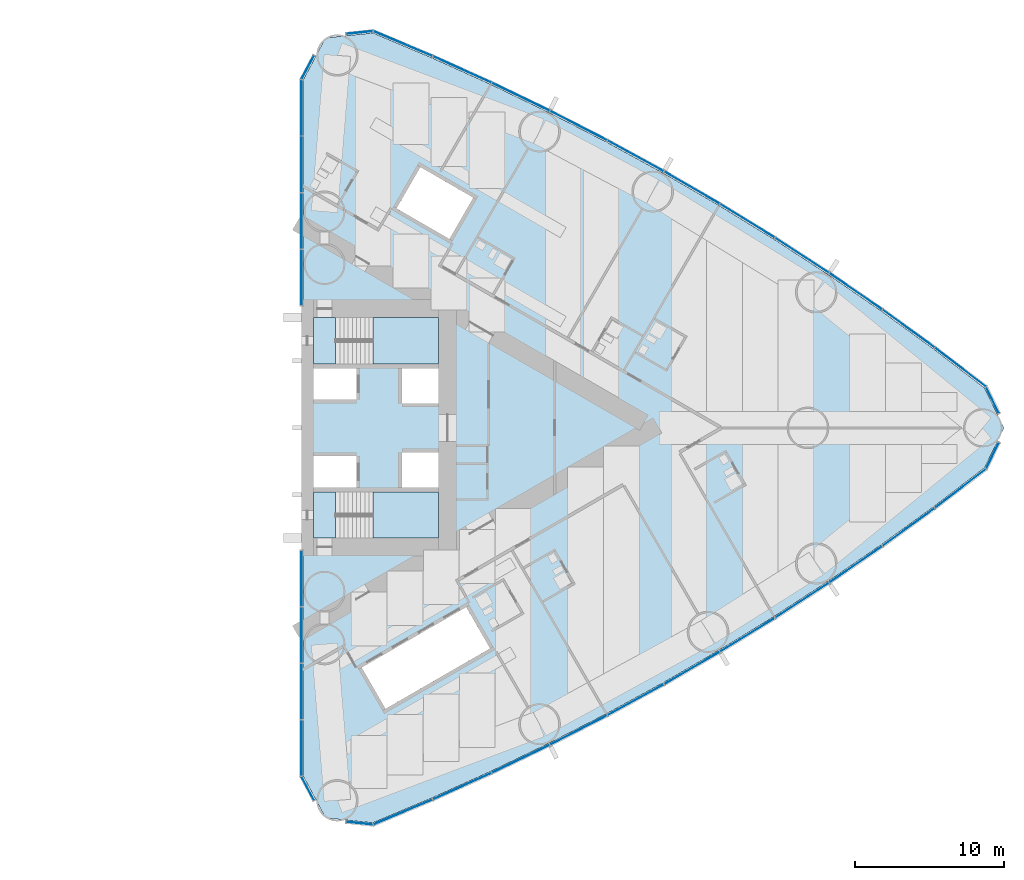
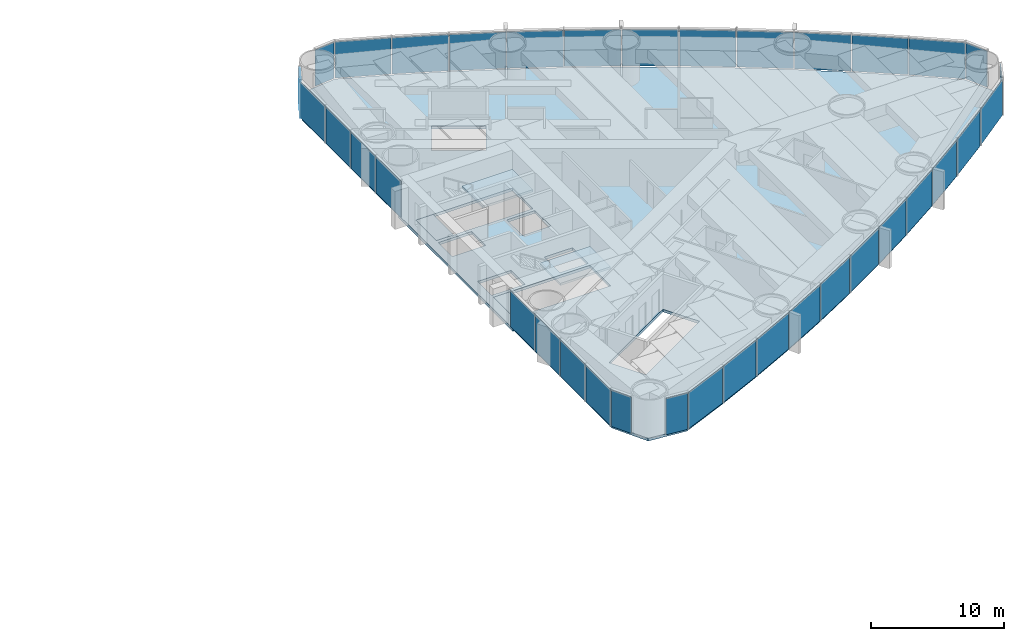
# One storey, part 10 of 18: 36 plates, 5 slabs, 6 elements without a shape of their own.
"""IFC4 building model written with IfcOpenShell, lengths in metres."""

from ifc_helpers import new_model, si_unit, direction, frame, origin, origin_2d, place, context, subcontext, project, spatial, polyline, rectangle, outline, extrude, material, layer, layer_set, type_object, element, aggregate, save


model = new_model("IFC4")

# Units and contexts
model_context = context("Model", 3, precision=1e-05, world=origin(), true_north=direction((0.0, 1.0)))
body_context = subcontext(model_context, "Body", "Model", "MODEL_VIEW")
ifc_project = project(units=[si_unit("LENGTHUNIT", "METRE"), si_unit("AREAUNIT", "SQUARE_METRE"), si_unit("VOLUMEUNIT", "CUBIC_METRE"), si_unit("PLANEANGLEUNIT", "RADIAN"), si_unit("MASSUNIT", "GRAM", prefix="KILO")], contexts=[model_context])

# Site, building, storey
site_placement = place(None, origin())
site = spatial("IfcSite", under=ifc_project, at=site_placement, CompositionType="ELEMENT")
building_placement = place(site_placement, origin())
building = spatial("IfcBuilding", under=site, at=building_placement, Name="Lancet Gate Hotel", CompositionType="ELEMENT")
storey_placement = place(building_placement, frame((0.0, 0.0, 56.5)))
storey = spatial("IfcBuildingStorey", under=building, at=storey_placement, Name="L14", CompositionType="ELEMENT", Elevation=56.5)

# Slab
ifc_material_1 = material(Name="Concrete C50/60", Category="concrete")
ifc_layer_1 = layer(ifc_material_1, 0.25)
ifc_layer_set_1 = layer_set([ifc_layer_1], Name="Floor slab 250")
slab_type_1 = type_object("IfcSlabType", Name="Floor slab 250", PredefinedType="FLOOR", material=ifc_layer_set_1)
slab_1_placement = place(storey_placement, frame((0.0, 0.0, -0.25)))
element("IfcSlab", 1, at=slab_1_placement, inside=storey, type_object=slab_type_1, Name="T2 L14 floor slab", PredefinedType="FLOOR", context=body_context, shape_type="SweptSolid", body=[
    extrude(outline(polyline([(27.5, -8.60009765625), (27.6201171875, -8.60009765625), (27.6201171875, -23.35498046875), (29.12158203125, -26.175537109375), (32.299072265625, -26.5048828125), (36.26708984375, -24.833740234375), (40.2177734375, -23.050048828125), (44.121826171875, -21.16650390625), (47.9765625, -19.18408203125), (51.77978515625, -17.104248046875), (55.528564453125, -14.92822265625), (59.220947265625, -12.657470703125), (62.854248046875, -10.29345703125), (66.42626953125, -7.837890625), (69.934814453125, -5.292236328125), (73.355712890625, -2.67431640625), (74.65576171875, 0.0), (73.355712890625, 2.67431640625), (69.934814453125, 5.292236328125), (66.42626953125, 7.837890625), (62.854248046875, 10.29345703125), (59.220947265625, 12.657470703125), (55.528564453125, 14.92822265625), (51.77978515625, 17.104248046875), (47.9765625, 19.18408203125), (44.121826171875, 21.16650390625), (40.2177734375, 23.050048828125), (36.26708984375, 24.833740234375), (32.299072265625, 26.5048828125), (29.12158203125, 26.175537109375), (27.6201171875, 23.35498046875), (27.6201171875, 8.60009765625), (27.5, 8.60009765625), (27.5, 8.199951171875), (27.5, -8.199951171875), (27.5, -8.60009765625)]), holes=[polyline([(36.699951171875, -7.39990234375), (36.699951171875, -4.300048828125), (28.300048828125, -4.300048828125), (28.300048828125, -7.39990234375), (36.699951171875, -7.39990234375)]), polyline([(28.300048828125, -4.0), (31.199951171875, -4.0), (31.199951171875, -1.89990234375), (28.300048828125, -1.89990234375), (28.300048828125, -4.0)]), polyline([(34.25, -4.0), (36.699951171875, -4.0), (36.699951171875, -1.64990234375), (34.25, -1.64990234375), (34.25, -4.0)]), polyline([(36.699951171875, 1.64990234375), (36.699951171875, 4.0), (34.25, 4.0), (34.25, 1.64990234375), (36.699951171875, 1.64990234375)]), polyline([(28.300048828125, 1.89990234375), (31.199951171875, 1.89990234375), (31.199951171875, 4.0), (28.300048828125, 4.0), (28.300048828125, 1.89990234375)]), polyline([(28.300048828125, 4.300048828125), (36.699951171875, 4.300048828125), (36.699951171875, 7.39990234375), (28.300048828125, 7.39990234375), (28.300048828125, 4.300048828125)]), polyline([(31.549072265625, -16.0810546875), (33.14892578125, -18.85205078125), (40.1640625, -14.802001953125), (38.56396484375, -12.031005859375), (31.549072265625, -16.0810546875)]), polyline([(33.887939453125, 14.73095703125), (37.43798828125, 12.680908203125), (39.0380859375, 15.451904296875), (35.488037109375, 17.501953125), (33.887939453125, 14.73095703125)])]), origin(), (0.0, 0.0, 1.0), 0.25),
])

# Stair, slabs
ifc_material_2 = material(Name="Exit stair 20 risers 1500")
stair_type = type_object("IfcStairType", Name="Exit stair 20 risers 1500", PredefinedType="HALF_TURN_STAIR", material=ifc_material_2)
stair_1_placement = place(storey_placement, origin())
stair_1 = element("IfcStair", 2, at=stair_1_placement, inside=storey, type_object=stair_type, Name="T2 stair 1 L14", PredefinedType="HALF_TURN_STAIR")
ifc_material_3 = material(Name="Concrete C40/50", Category="concrete")
ifc_layer_2 = layer(ifc_material_3, 0.199951171875)
ifc_layer_set_2 = layer_set([ifc_layer_2], Name="Stair landing 200")
slab_type_2 = type_object("IfcSlabType", Name="Stair landing 200", PredefinedType="LANDING", material=ifc_layer_set_2)
slab_2_placement = place(storey_placement, frame((0.0, 0.0, -0.199951171875)))
slab_2 = element("IfcSlab", 3, at=slab_2_placement, type_object=slab_type_2, Name="ST3 landing 1", PredefinedType="LANDING", context=body_context, shape_type="SweptSolid", body=[
    extrude(outline(polyline([(28.300048828125, -7.39990234375), (29.800048828125, -7.39990234375), (29.800048828125, -4.300048828125), (28.300048828125, -4.300048828125), (28.300048828125, -7.39990234375)])), origin(), (0.0, 0.0, 1.0), 0.199951171875),
])
slab_3_placement = place(storey_placement, frame((0.0, 0.0, 1.550048828125)))
slab_3 = element("IfcSlab", 4, at=slab_3_placement, type_object=slab_type_2, Name="ST3 landing 2", PredefinedType="LANDING", context=body_context, shape_type="SweptSolid", body=[
    extrude(outline(polyline([(32.320068359375, -7.39990234375), (36.699951171875, -7.39990234375), (36.699951171875, -4.300048828125), (32.320068359375, -4.300048828125), (32.320068359375, -7.39990234375)])), origin(), (0.0, 0.0, 1.0), 0.199951171875),
])
aggregate(stair_1, [slab_2, slab_3])

stair_2_placement = place(storey_placement, origin())
stair_2 = element("IfcStair", 5, at=stair_2_placement, inside=storey, type_object=stair_type, Name="T2 stair 2 L14", PredefinedType="HALF_TURN_STAIR")
slab_4_placement = place(storey_placement, frame((0.0, 0.0, -0.199951171875)))
slab_4 = element("IfcSlab", 6, at=slab_4_placement, type_object=slab_type_2, Name="ST4 landing 1", PredefinedType="LANDING", context=body_context, shape_type="SweptSolid", body=[
    extrude(outline(polyline([(28.300048828125, 4.300048828125), (29.800048828125, 4.300048828125), (29.800048828125, 7.39990234375), (28.300048828125, 7.39990234375), (28.300048828125, 4.300048828125)])), origin(), (0.0, 0.0, 1.0), 0.199951171875),
])
slab_5_placement = place(storey_placement, frame((0.0, 0.0, 1.550048828125)))
slab_5 = element("IfcSlab", 7, at=slab_5_placement, type_object=slab_type_2, Name="ST4 landing 2", PredefinedType="LANDING", context=body_context, shape_type="SweptSolid", body=[
    extrude(outline(polyline([(32.320068359375, 4.300048828125), (36.699951171875, 4.300048828125), (36.699951171875, 7.39990234375), (32.320068359375, 7.39990234375), (32.320068359375, 4.300048828125)])), origin(), (0.0, 0.0, 1.0), 0.199951171875),
])
aggregate(stair_2, [slab_4, slab_5])

# Curtain wall, plates
ifc_material_4 = material(Name="Aluminium curtain wall", Category="aluminium")
curtain_wall_type = type_object("IfcCurtainWallType", Name="Tower unitised curtain wall", PredefinedType="USERDEFINED", material=ifc_material_4)
curtain_wall_1_placement = place(storey_placement, origin())
curtain_wall_1 = element("IfcCurtainWall", 8, at=curtain_wall_1_placement, inside=storey, type_object=curtain_wall_type, Name="T2 L14 curtain wall 1", ObjectType="UNITISED CURTAIN WALL", PredefinedType="USERDEFINED")
ifc_material_5 = material(Name="Glass double glazed unit 8-16-6", Category="glass")
ifc_layer_3 = layer(ifc_material_5, 0.030029296875)
ifc_layer_set_3 = layer_set([ifc_layer_3], Name="Vision panel double glazed")
plate_type = type_object("IfcPlateType", Name="Vision panel double glazed", PredefinedType="CURTAIN_PANEL", material=ifc_layer_set_3)
plate_1_placement = place(storey_placement, frame((27.5, -10.09814453125, 0.0), z_axis=(0.0, 0.0, 1.0), x_axis=(0.0, -1.0, 0.0)))
plate_1 = element("IfcPlate", 9, at=plate_1_placement, type_object=plate_type, Name="T2 L14 curtain wall 1 panel 1", PredefinedType="CURTAIN_PANEL", context=body_context, shape_type="SweptSolid", body=[
    extrude(rectangle(XDim=3.731201171875, YDim=0.030029296875, at=origin_2d()), origin(), (0.0, 0.0, 1.0), 3.35009765625),
])
plate_2_placement = place(storey_placement, frame((27.5, -13.894287109375, 0.0), z_axis=(0.0, 0.0, 1.0), x_axis=(0.0, -1.0, 0.0)))
plate_2 = element("IfcPlate", 10, at=plate_2_placement, type_object=plate_type, Name="T2 L14 curtain wall 1 panel 2", PredefinedType="CURTAIN_PANEL", context=body_context, shape_type="SweptSolid", body=[
    extrude(rectangle(XDim=3.731201171875, YDim=0.030029296875, at=origin_2d()), origin(), (0.0, 0.0, 1.0), 3.35009765625),
])
plate_3_placement = place(storey_placement, frame((27.5, -17.6904296875, 0.0), z_axis=(0.0, 0.0, 1.0), x_axis=(0.0, -1.0, 0.0)))
plate_3 = element("IfcPlate", 11, at=plate_3_placement, type_object=plate_type, Name="T2 L14 curtain wall 1 panel 3", PredefinedType="CURTAIN_PANEL", context=body_context, shape_type="SweptSolid", body=[
    extrude(rectangle(XDim=3.731201171875, YDim=0.030029296875, at=origin_2d()), origin(), (0.0, 0.0, 1.0), 3.35009765625),
])
plate_4_placement = place(storey_placement, frame((27.5, -21.48681640625, 0.0), z_axis=(0.0, 0.0, 1.0), x_axis=(0.0, -1.0, 0.0)))
plate_4 = element("IfcPlate", 12, at=plate_4_placement, type_object=plate_type, Name="T2 L14 curtain wall 1 panel 4", PredefinedType="CURTAIN_PANEL", context=body_context, shape_type="SweptSolid", body=[
    extrude(rectangle(XDim=3.731201171875, YDim=0.030029296875, at=origin_2d()), origin(), (0.0, 0.0, 1.0), 3.35009765625),
])
plate_5_placement = place(storey_placement, frame((27.933349609375, -24.19873046875, 0.0), z_axis=(0.0, 0.0, 1.0), x_axis=(0.469897827284, -0.882720811987, 0.0)))
plate_5 = element("IfcPlate", 13, at=plate_5_placement, type_object=plate_type, Name="T2 L14 curtain wall 1 panel 5", PredefinedType="CURTAIN_PANEL", context=body_context, shape_type="SweptSolid", body=[
    extrude(rectangle(XDim=1.779052734375, YDim=0.030029296875, at=origin_2d()), origin(), (0.0, 0.0, 1.0), 3.35009765625),
])
aggregate(curtain_wall_1, [plate_1, plate_2, plate_3, plate_4, plate_5])

curtain_wall_2_placement = place(storey_placement, origin())
curtain_wall_2 = element("IfcCurtainWall", 14, at=curtain_wall_2_placement, inside=storey, type_object=curtain_wall_type, Name="T2 L14 curtain wall 2", ObjectType="UNITISED CURTAIN WALL", PredefinedType="USERDEFINED")
plate_6_placement = place(storey_placement, frame((31.400634765625, -26.532470703125, 0.0), z_axis=(0.0, 0.0, 1.0), x_axis=(0.994672262412, -0.10308778001, 0.0)))
plate_6 = element("IfcPlate", 15, at=plate_6_placement, type_object=plate_type, Name="T2 L14 curtain wall 2 panel 1", PredefinedType="CURTAIN_PANEL", context=body_context, shape_type="SweptSolid", body=[
    extrude(rectangle(XDim=1.7783203125, YDim=0.030029296875, at=origin_2d()), origin(), (0.0, 0.0, 1.0), 3.35009765625),
])
plate_7_placement = place(storey_placement, frame((34.316162109375, -25.78564453125, 0.0), z_axis=(0.0, 0.0, 1.0), x_axis=(0.92159330598, 0.38815689917, 0.0)))
plate_7 = element("IfcPlate", 16, at=plate_7_placement, type_object=plate_type, Name="T2 L14 curtain wall 2 panel 2", PredefinedType="CURTAIN_PANEL", context=body_context, shape_type="SweptSolid", body=[
    extrude(rectangle(XDim=4.272705078125, YDim=0.030029296875, at=origin_2d()), origin(), (0.0, 0.0, 1.0), 3.35009765625),
])
plate_8_placement = place(storey_placement, frame((38.291748046875, -24.05126953125, 0.0), z_axis=(0.0, 0.0, 1.0), x_axis=(0.911415640556, 0.41148697446, 0.0)))
plate_8 = element("IfcPlate", 17, at=plate_8_placement, type_object=plate_type, Name="T2 L14 curtain wall 2 panel 3", PredefinedType="CURTAIN_PANEL", context=body_context, shape_type="SweptSolid", body=[
    extrude(rectangle(XDim=4.272705078125, YDim=0.030029296875, at=origin_2d()), origin(), (0.0, 0.0, 1.0), 3.35009765625),
])
plate_9_placement = place(storey_placement, frame((42.221923828125, -22.21630859375, 0.0), z_axis=(0.0, 0.0, 1.0), x_axis=(0.90064748964, 0.434550456686, 0.0)))
plate_9 = element("IfcPlate", 18, at=plate_9_placement, type_object=plate_type, Name="T2 L14 curtain wall 2 panel 4", PredefinedType="CURTAIN_PANEL", context=body_context, shape_type="SweptSolid", body=[
    extrude(rectangle(XDim=4.272705078125, YDim=0.030029296875, at=origin_2d()), origin(), (0.0, 0.0, 1.0), 3.35009765625),
])
plate_10_placement = place(storey_placement, frame((46.10400390625, -20.281982421875, 0.0), z_axis=(0.0, 0.0, 1.0), x_axis=(0.889295829671, 0.457332403541, 0.0)))
plate_10 = element("IfcPlate", 19, at=plate_10_placement, type_object=plate_type, Name="T2 L14 curtain wall 2 panel 5", PredefinedType="CURTAIN_PANEL", context=body_context, shape_type="SweptSolid", body=[
    extrude(rectangle(XDim=4.272705078125, YDim=0.030029296875, at=origin_2d()), origin(), (0.0, 0.0, 1.0), 3.35009765625),
])
plate_11_placement = place(storey_placement, frame((49.935791015625, -18.249267578125, 0.0), z_axis=(0.0, 0.0, 1.0), x_axis=(0.877368015134, 0.47981805512, 0.0)))
plate_11 = element("IfcPlate", 20, at=plate_11_placement, type_object=plate_type, Name="T2 L14 curtain wall 2 panel 6", PredefinedType="CURTAIN_PANEL", context=body_context, shape_type="SweptSolid", body=[
    extrude(rectangle(XDim=4.272705078125, YDim=0.030029296875, at=origin_2d()), origin(), (0.0, 0.0, 1.0), 3.35009765625),
])
plate_12_placement = place(storey_placement, frame((53.71435546875, -16.119873046875, 0.0), z_axis=(0.0, 0.0, 1.0), x_axis=(0.864871773788, 0.501992843479, 0.0)))
plate_12 = element("IfcPlate", 21, at=plate_12_placement, type_object=plate_type, Name="T2 L14 curtain wall 2 panel 7", PredefinedType="CURTAIN_PANEL", context=body_context, shape_type="SweptSolid", body=[
    extrude(rectangle(XDim=4.272705078125, YDim=0.030029296875, at=origin_2d()), origin(), (0.0, 0.0, 1.0), 3.35009765625),
])
plate_13_placement = place(storey_placement, frame((57.437744140625, -13.89501953125, 0.0), z_axis=(0.0, 0.0, 1.0), x_axis=(0.851815201664, 0.523842402077, 0.0)))
plate_13 = element("IfcPlate", 22, at=plate_13_placement, type_object=plate_type, Name="T2 L14 curtain wall 2 panel 8", PredefinedType="CURTAIN_PANEL", context=body_context, shape_type="SweptSolid", body=[
    extrude(rectangle(XDim=4.272705078125, YDim=0.030029296875, at=origin_2d()), origin(), (0.0, 0.0, 1.0), 3.35009765625),
])
plate_14_placement = place(storey_placement, frame((61.10302734375, -11.576171875, 0.0), z_axis=(0.0, 0.0, 1.0), x_axis=(0.838206757819, 0.54535257508, 0.0)))
plate_14 = element("IfcPlate", 23, at=plate_14_placement, type_object=plate_type, Name="T2 L14 curtain wall 2 panel 9", PredefinedType="CURTAIN_PANEL", context=body_context, shape_type="SweptSolid", body=[
    extrude(rectangle(XDim=4.272705078125, YDim=0.030029296875, at=origin_2d()), origin(), (0.0, 0.0, 1.0), 3.35009765625),
])
plate_15_placement = place(storey_placement, frame((64.708251953125, -9.16455078125, 0.0), z_axis=(0.0, 0.0, 1.0), x_axis=(0.824055258853, 0.566509426538, 0.0)))
plate_15 = element("IfcPlate", 24, at=plate_15_placement, type_object=plate_type, Name="T2 L14 curtain wall 2 panel 10", PredefinedType="CURTAIN_PANEL", context=body_context, shape_type="SweptSolid", body=[
    extrude(rectangle(XDim=4.272705078125, YDim=0.030029296875, at=origin_2d()), origin(), (0.0, 0.0, 1.0), 3.35009765625),
])
plate_16_placement = place(storey_placement, frame((68.2509765625, -6.662109375, 0.0), z_axis=(0.0, 0.0, 1.0), x_axis=(0.809369873203, 0.587299249405, 0.0)))
plate_16 = element("IfcPlate", 25, at=plate_16_placement, type_object=plate_type, Name="T2 L14 curtain wall 2 panel 11", PredefinedType="CURTAIN_PANEL", context=body_context, shape_type="SweptSolid", body=[
    extrude(rectangle(XDim=4.272705078125, YDim=0.030029296875, at=origin_2d()), origin(), (0.0, 0.0, 1.0), 3.35009765625),
])
plate_17_placement = place(storey_placement, frame((71.72900390625, -4.0703125, 0.0), z_axis=(0.0, 0.0, 1.0), x_axis=(0.794160115195, 0.607708574428, 0.0)))
plate_17 = element("IfcPlate", 26, at=plate_17_placement, type_object=plate_type, Name="T2 L14 curtain wall 2 panel 12", PredefinedType="CURTAIN_PANEL", context=body_context, shape_type="SweptSolid", body=[
    extrude(rectangle(XDim=4.272705078125, YDim=0.030029296875, at=origin_2d()), origin(), (0.0, 0.0, 1.0), 3.35009765625),
])
plate_18_placement = place(storey_placement, frame((73.88671875, -1.856201171875, 0.0), z_axis=(0.0, 0.0, 1.0), x_axis=(0.437169070119, 0.899379343843, 0.0)))
plate_18 = element("IfcPlate", 27, at=plate_18_placement, type_object=plate_type, Name="T2 L14 curtain wall 2 panel 13", PredefinedType="CURTAIN_PANEL", context=body_context, shape_type="SweptSolid", body=[
    extrude(rectangle(XDim=1.92724609375, YDim=0.030029296875, at=origin_2d()), origin(), (0.0, 0.0, 1.0), 3.35009765625),
])
aggregate(curtain_wall_2, [plate_6, plate_7, plate_8, plate_9, plate_10, plate_11, plate_12, plate_13, plate_14, plate_15, plate_16, plate_17, plate_18])

curtain_wall_3_placement = place(storey_placement, origin())
curtain_wall_3 = element("IfcCurtainWall", 28, at=curtain_wall_3_placement, inside=storey, type_object=curtain_wall_type, Name="T2 L14 curtain wall 3", ObjectType="UNITISED CURTAIN WALL", PredefinedType="USERDEFINED")
plate_19_placement = place(storey_placement, frame((73.88671875, 1.856201171875, 0.0), z_axis=(0.0, 0.0, 1.0), x_axis=(-0.437169070119, 0.899379343843, 0.0)))
plate_19 = element("IfcPlate", 29, at=plate_19_placement, type_object=plate_type, Name="T2 L14 curtain wall 3 panel 1", PredefinedType="CURTAIN_PANEL", context=body_context, shape_type="SweptSolid", body=[
    extrude(rectangle(XDim=1.92724609375, YDim=0.030029296875, at=origin_2d()), origin(), (0.0, 0.0, 1.0), 3.35009765625),
])
plate_20_placement = place(storey_placement, frame((71.72900390625, 4.0703125, 0.0), z_axis=(0.0, 0.0, 1.0), x_axis=(-0.794160115195, 0.607708574428, 0.0)))
plate_20 = element("IfcPlate", 30, at=plate_20_placement, type_object=plate_type, Name="T2 L14 curtain wall 3 panel 2", PredefinedType="CURTAIN_PANEL", context=body_context, shape_type="SweptSolid", body=[
    extrude(rectangle(XDim=4.272705078125, YDim=0.030029296875, at=origin_2d()), origin(), (0.0, 0.0, 1.0), 3.35009765625),
])
plate_21_placement = place(storey_placement, frame((68.2509765625, 6.662109375, 0.0), z_axis=(0.0, 0.0, 1.0), x_axis=(-0.809369873203, 0.587299249405, 0.0)))
plate_21 = element("IfcPlate", 31, at=plate_21_placement, type_object=plate_type, Name="T2 L14 curtain wall 3 panel 3", PredefinedType="CURTAIN_PANEL", context=body_context, shape_type="SweptSolid", body=[
    extrude(rectangle(XDim=4.272705078125, YDim=0.030029296875, at=origin_2d()), origin(), (0.0, 0.0, 1.0), 3.35009765625),
])
plate_22_placement = place(storey_placement, frame((64.708251953125, 9.16455078125, 0.0), z_axis=(0.0, 0.0, 1.0), x_axis=(-0.824055258853, 0.566509426538, 0.0)))
plate_22 = element("IfcPlate", 32, at=plate_22_placement, type_object=plate_type, Name="T2 L14 curtain wall 3 panel 4", PredefinedType="CURTAIN_PANEL", context=body_context, shape_type="SweptSolid", body=[
    extrude(rectangle(XDim=4.272705078125, YDim=0.030029296875, at=origin_2d()), origin(), (0.0, 0.0, 1.0), 3.35009765625),
])
plate_23_placement = place(storey_placement, frame((61.10302734375, 11.576171875, 0.0), z_axis=(0.0, 0.0, 1.0), x_axis=(-0.838206757819, 0.54535257508, 0.0)))
plate_23 = element("IfcPlate", 33, at=plate_23_placement, type_object=plate_type, Name="T2 L14 curtain wall 3 panel 5", PredefinedType="CURTAIN_PANEL", context=body_context, shape_type="SweptSolid", body=[
    extrude(rectangle(XDim=4.272705078125, YDim=0.030029296875, at=origin_2d()), origin(), (0.0, 0.0, 1.0), 3.35009765625),
])
plate_24_placement = place(storey_placement, frame((57.437744140625, 13.89501953125, 0.0), z_axis=(0.0, 0.0, 1.0), x_axis=(-0.851815201664, 0.523842402077, 0.0)))
plate_24 = element("IfcPlate", 34, at=plate_24_placement, type_object=plate_type, Name="T2 L14 curtain wall 3 panel 6", PredefinedType="CURTAIN_PANEL", context=body_context, shape_type="SweptSolid", body=[
    extrude(rectangle(XDim=4.272705078125, YDim=0.030029296875, at=origin_2d()), origin(), (0.0, 0.0, 1.0), 3.35009765625),
])
plate_25_placement = place(storey_placement, frame((53.71435546875, 16.119873046875, 0.0), z_axis=(0.0, 0.0, 1.0), x_axis=(-0.864871773788, 0.501992843479, 0.0)))
plate_25 = element("IfcPlate", 35, at=plate_25_placement, type_object=plate_type, Name="T2 L14 curtain wall 3 panel 7", PredefinedType="CURTAIN_PANEL", context=body_context, shape_type="SweptSolid", body=[
    extrude(rectangle(XDim=4.272705078125, YDim=0.030029296875, at=origin_2d()), origin(), (0.0, 0.0, 1.0), 3.35009765625),
])
plate_26_placement = place(storey_placement, frame((49.935791015625, 18.249267578125, 0.0), z_axis=(0.0, 0.0, 1.0), x_axis=(-0.877368015134, 0.47981805512, 0.0)))
plate_26 = element("IfcPlate", 36, at=plate_26_placement, type_object=plate_type, Name="T2 L14 curtain wall 3 panel 8", PredefinedType="CURTAIN_PANEL", context=body_context, shape_type="SweptSolid", body=[
    extrude(rectangle(XDim=4.272705078125, YDim=0.030029296875, at=origin_2d()), origin(), (0.0, 0.0, 1.0), 3.35009765625),
])
plate_27_placement = place(storey_placement, frame((46.10400390625, 20.281982421875, 0.0), z_axis=(0.0, 0.0, 1.0), x_axis=(-0.889295829671, 0.457332403541, 0.0)))
plate_27 = element("IfcPlate", 37, at=plate_27_placement, type_object=plate_type, Name="T2 L14 curtain wall 3 panel 9", PredefinedType="CURTAIN_PANEL", context=body_context, shape_type="SweptSolid", body=[
    extrude(rectangle(XDim=4.272705078125, YDim=0.030029296875, at=origin_2d()), origin(), (0.0, 0.0, 1.0), 3.35009765625),
])
plate_28_placement = place(storey_placement, frame((42.221923828125, 22.21630859375, 0.0), z_axis=(0.0, 0.0, 1.0), x_axis=(-0.90064748964, 0.434550456686, 0.0)))
plate_28 = element("IfcPlate", 38, at=plate_28_placement, type_object=plate_type, Name="T2 L14 curtain wall 3 panel 10", PredefinedType="CURTAIN_PANEL", context=body_context, shape_type="SweptSolid", body=[
    extrude(rectangle(XDim=4.272705078125, YDim=0.030029296875, at=origin_2d()), origin(), (0.0, 0.0, 1.0), 3.35009765625),
])
plate_29_placement = place(storey_placement, frame((38.291748046875, 24.05126953125, 0.0), z_axis=(0.0, 0.0, 1.0), x_axis=(-0.911415640556, 0.41148697446, 0.0)))
plate_29 = element("IfcPlate", 39, at=plate_29_placement, type_object=plate_type, Name="T2 L14 curtain wall 3 panel 11", PredefinedType="CURTAIN_PANEL", context=body_context, shape_type="SweptSolid", body=[
    extrude(rectangle(XDim=4.272705078125, YDim=0.030029296875, at=origin_2d()), origin(), (0.0, 0.0, 1.0), 3.35009765625),
])
plate_30_placement = place(storey_placement, frame((34.316162109375, 25.78564453125, 0.0), z_axis=(0.0, 0.0, 1.0), x_axis=(-0.92159330598, 0.38815689917, 0.0)))
plate_30 = element("IfcPlate", 40, at=plate_30_placement, type_object=plate_type, Name="T2 L14 curtain wall 3 panel 12", PredefinedType="CURTAIN_PANEL", context=body_context, shape_type="SweptSolid", body=[
    extrude(rectangle(XDim=4.272705078125, YDim=0.030029296875, at=origin_2d()), origin(), (0.0, 0.0, 1.0), 3.35009765625),
])
plate_31_placement = place(storey_placement, frame((31.400634765625, 26.532470703125, 0.0), z_axis=(0.0, 0.0, 1.0), x_axis=(-0.994672262412, -0.10308778001, 0.0)))
plate_31 = element("IfcPlate", 41, at=plate_31_placement, type_object=plate_type, Name="T2 L14 curtain wall 3 panel 13", PredefinedType="CURTAIN_PANEL", context=body_context, shape_type="SweptSolid", body=[
    extrude(rectangle(XDim=1.7783203125, YDim=0.030029296875, at=origin_2d()), origin(), (0.0, 0.0, 1.0), 3.35009765625),
])
aggregate(curtain_wall_3, [plate_19, plate_20, plate_21, plate_22, plate_23, plate_24, plate_25, plate_26, plate_27, plate_28, plate_29, plate_30, plate_31])

curtain_wall_4_placement = place(storey_placement, origin())
curtain_wall_4 = element("IfcCurtainWall", 42, at=curtain_wall_4_placement, inside=storey, type_object=curtain_wall_type, Name="T2 L14 curtain wall 4", ObjectType="UNITISED CURTAIN WALL", PredefinedType="USERDEFINED")
plate_32_placement = place(storey_placement, frame((27.933349609375, 24.19873046875, 0.0), z_axis=(0.0, 0.0, 1.0), x_axis=(-0.469897827284, -0.882720811987, 0.0)))
plate_32 = element("IfcPlate", 43, at=plate_32_placement, type_object=plate_type, Name="T2 L14 curtain wall 4 panel 1", PredefinedType="CURTAIN_PANEL", context=body_context, shape_type="SweptSolid", body=[
    extrude(rectangle(XDim=1.779052734375, YDim=0.030029296875, at=origin_2d()), origin(), (0.0, 0.0, 1.0), 3.35009765625),
])
plate_33_placement = place(storey_placement, frame((27.5, 21.48681640625, 0.0), z_axis=(0.0, 0.0, 1.0), x_axis=(0.0, -1.0, 0.0)))
plate_33 = element("IfcPlate", 44, at=plate_33_placement, type_object=plate_type, Name="T2 L14 curtain wall 4 panel 2", PredefinedType="CURTAIN_PANEL", context=body_context, shape_type="SweptSolid", body=[
    extrude(rectangle(XDim=3.731201171875, YDim=0.030029296875, at=origin_2d()), origin(), (0.0, 0.0, 1.0), 3.35009765625),
])
plate_34_placement = place(storey_placement, frame((27.5, 17.6904296875, 0.0), z_axis=(0.0, 0.0, 1.0), x_axis=(0.0, -1.0, 0.0)))
plate_34 = element("IfcPlate", 45, at=plate_34_placement, type_object=plate_type, Name="T2 L14 curtain wall 4 panel 3", PredefinedType="CURTAIN_PANEL", context=body_context, shape_type="SweptSolid", body=[
    extrude(rectangle(XDim=3.731201171875, YDim=0.030029296875, at=origin_2d()), origin(), (0.0, 0.0, 1.0), 3.35009765625),
])
plate_35_placement = place(storey_placement, frame((27.5, 13.894287109375, 0.0), z_axis=(0.0, 0.0, 1.0), x_axis=(0.0, -1.0, 0.0)))
plate_35 = element("IfcPlate", 46, at=plate_35_placement, type_object=plate_type, Name="T2 L14 curtain wall 4 panel 4", PredefinedType="CURTAIN_PANEL", context=body_context, shape_type="SweptSolid", body=[
    extrude(rectangle(XDim=3.731201171875, YDim=0.030029296875, at=origin_2d()), origin(), (0.0, 0.0, 1.0), 3.35009765625),
])
plate_36_placement = place(storey_placement, frame((27.5, 10.09814453125, 0.0), z_axis=(0.0, 0.0, 1.0), x_axis=(0.0, -1.0, 0.0)))
plate_36 = element("IfcPlate", 47, at=plate_36_placement, type_object=plate_type, Name="T2 L14 curtain wall 4 panel 5", PredefinedType="CURTAIN_PANEL", context=body_context, shape_type="SweptSolid", body=[
    extrude(rectangle(XDim=3.731201171875, YDim=0.030029296875, at=origin_2d()), origin(), (0.0, 0.0, 1.0), 3.35009765625),
])
aggregate(curtain_wall_4, [plate_32, plate_33, plate_34, plate_35, plate_36])

save(model, "model.ifc")
